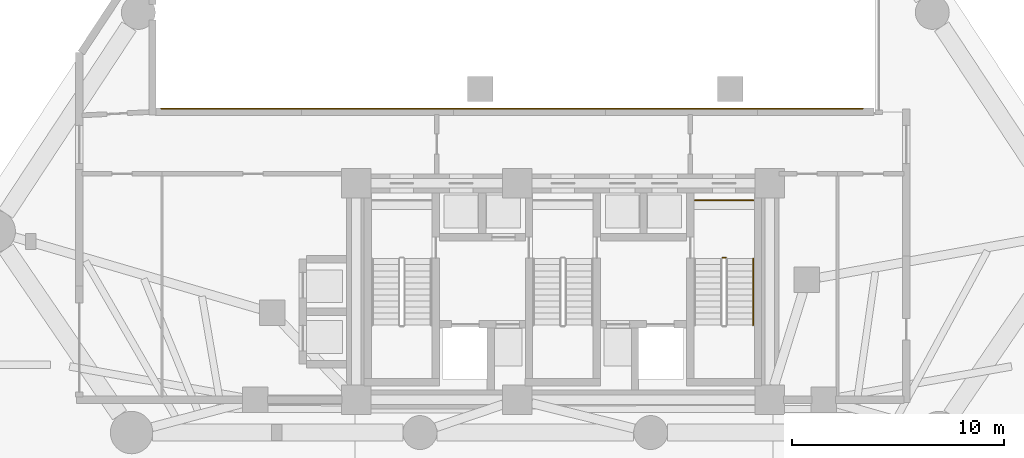
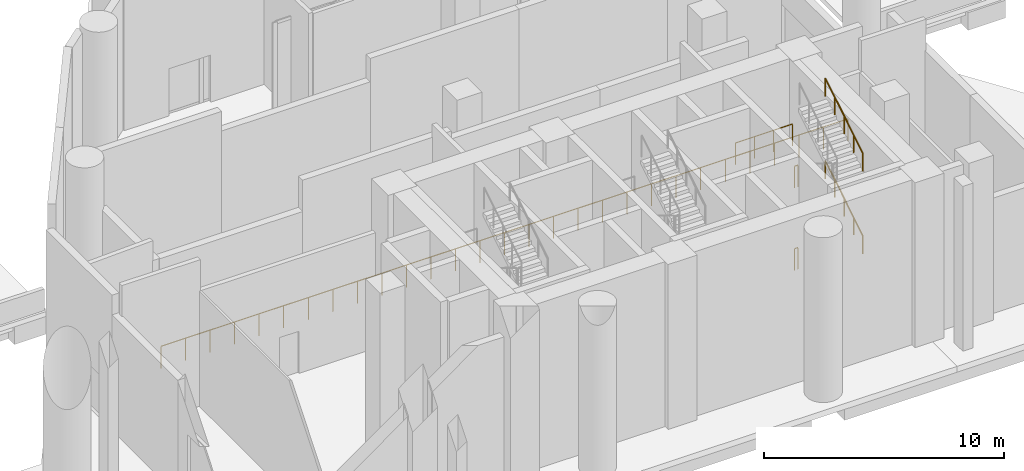
# One storey, part 10 of 12: 6 railings.
"""IFC4 building model written with IfcOpenShell, lengths in metres."""

from ifc_helpers import new_model, si_unit, direction, frame, origin, origin_2d, place, context, subcontext, project, spatial, circle, extrude, material, type_object, element, save


model = new_model("IFC4")

# Units and contexts
model_context = context("Model", 3, precision=1e-05, world=origin(), true_north=direction((0.0, 1.0)))
body_context = subcontext(model_context, "Body", "Model", "MODEL_VIEW")
ifc_project = project(units=[si_unit("LENGTHUNIT", "METRE"), si_unit("AREAUNIT", "SQUARE_METRE"), si_unit("VOLUMEUNIT", "CUBIC_METRE"), si_unit("PLANEANGLEUNIT", "RADIAN"), si_unit("MASSUNIT", "GRAM", prefix="KILO")], contexts=[model_context])

# Site, building, storey
site_placement = place(None, origin())
site = spatial("IfcSite", under=ifc_project, at=site_placement, CompositionType="ELEMENT")
building_placement = place(site_placement, origin())
building = spatial("IfcBuilding", under=site, at=building_placement, Name="Almagre Mirador Tower", CompositionType="ELEMENT")
storey_placement = place(building_placement, origin())
storey = spatial("IfcBuildingStorey", under=building, at=storey_placement, Name="L00", CompositionType="ELEMENT", Elevation=0.0)

# Railings
ifc_material_1 = material(Name="Painted galvanized steel", Category="steel")
railing_type_1 = type_object("IfcRailingType", Name="RLG-GRD-1100", PredefinedType="GUARDRAIL", material=ifc_material_1)
for number, where, name in (
    (1, (44.824951171875, 11.25, 4.199951171875), "L00 ST-3 stair guard 4"),
    (2, (44.824951171875, 11.25, 0.0), "L00 ST-3 stair guard 8"),
):
    element("IfcRailing", number, at=place(storey_placement, frame(where)), inside=storey, type_object=railing_type_1, Name=name, PredefinedType="GUARDRAIL", context=body_context, shape_type="SweptSolid", body=[
        extrude(circle(Radius=0.02392578125, at=origin_2d()), frame((0.0, 0.0, 1.09619140625), z_axis=(1.0, 0.0, 0.0), x_axis=(0.0, 1.0, 0.0)), (0.0, 0.0, 1.0), 0.150146484375),
        extrude(circle(Radius=0.02099609375, at=origin_2d()), origin(), (0.0, 0.0, 1.0), 1.072021484375),
        extrude(circle(Radius=0.02099609375, at=origin_2d()), frame((0.150146484375, 0.0, 0.0)), (0.0, 0.0, 1.0), 1.072021484375),
    ])
railing_1_placement = place(storey_placement, frame((43.52490234375, 13.949951171875, 4.199951171875)))
element("IfcRailing", 3, at=railing_1_placement, inside=storey, type_object=railing_type_1, Name="L00 ST-3 mid-landing slot guard 2", PredefinedType="GUARDRAIL", context=body_context, shape_type="SweptSolid", body=[
    extrude(circle(Radius=0.02392578125, at=origin_2d()), frame((0.0, 0.0, 1.09619140625), z_axis=(1.0, 0.0, 0.0), x_axis=(0.0, 1.0, 0.0)), (0.0, 0.0, 1.0), 2.75),
    extrude(circle(Radius=0.02099609375, at=origin_2d()), origin(), (0.0, 0.0, 1.0), 1.072021484375),
    extrude(circle(Radius=0.02099609375, at=origin_2d()), frame((0.916748046875, 0.0, 0.0)), (0.0, 0.0, 1.0), 1.072021484375),
    extrude(circle(Radius=0.02099609375, at=origin_2d()), frame((1.833251953125, 0.0, 0.0)), (0.0, 0.0, 1.0), 1.072021484375),
    extrude(circle(Radius=0.02099609375, at=origin_2d()), frame((2.75, 0.0, 0.0)), (0.0, 0.0, 1.0), 1.072021484375),
])
ifc_material_2 = material(Name="Painted galvanized steel", Category="steel")
railing_type_2 = type_object("IfcRailingType", Name="RLG-GRD-1150", PredefinedType="GUARDRAIL", material=ifc_material_2)
railing_2_placement = place(storey_placement, frame((18.35009765625, 18.280029296875, 0.0)))
element("IfcRailing", 4, at=railing_2_placement, inside=storey, type_object=railing_type_2, Name="L00 vehicular ramp south edge guardrail", PredefinedType="GUARDRAIL", context=body_context, shape_type="SweptSolid", body=[
    extrude(circle(Radius=0.02392578125, at=origin_2d()), frame((0.0, 0.0, 1.1259765625), z_axis=(1.0, 0.0, 0.0), x_axis=(0.0, 1.0, 0.0)), (0.0, 0.0, 1.0), 33.099853515625),
    extrude(circle(Radius=0.02099609375, at=origin_2d()), origin(), (0.0, 0.0, 1.0), 1.101806640625),
    extrude(circle(Radius=0.02099609375, at=origin_2d()), frame((1.18212890625, 0.0, 0.0)), (0.0, 0.0, 1.0), 1.101806640625),
    extrude(circle(Radius=0.02099609375, at=origin_2d()), frame((2.3642578125, 0.0, 0.0)), (0.0, 0.0, 1.0), 1.101806640625),
    extrude(circle(Radius=0.02099609375, at=origin_2d()), frame((3.54638671875, 0.0, 0.0)), (0.0, 0.0, 1.0), 1.101806640625),
    extrude(circle(Radius=0.02099609375, at=origin_2d()), frame((4.728515625, 0.0, 0.0)), (0.0, 0.0, 1.0), 1.101806640625),
    extrude(circle(Radius=0.02099609375, at=origin_2d()), frame((5.91064453125, 0.0, 0.0)), (0.0, 0.0, 1.0), 1.101806640625),
    extrude(circle(Radius=0.02099609375, at=origin_2d()), frame((7.0927734375, 0.0, 0.0)), (0.0, 0.0, 1.0), 1.101806640625),
    extrude(circle(Radius=0.02099609375, at=origin_2d()), frame((8.27490234375, 0.0, 0.0)), (0.0, 0.0, 1.0), 1.101806640625),
    extrude(circle(Radius=0.02099609375, at=origin_2d()), frame((9.45703125, 0.0, 0.0)), (0.0, 0.0, 1.0), 1.101806640625),
    extrude(circle(Radius=0.02099609375, at=origin_2d()), frame((10.63916015625, 0.0, 0.0)), (0.0, 0.0, 1.0), 1.101806640625),
    extrude(circle(Radius=0.02099609375, at=origin_2d()), frame((11.8212890625, 0.0, 0.0)), (0.0, 0.0, 1.0), 1.101806640625),
    extrude(circle(Radius=0.02099609375, at=origin_2d()), frame((13.00341796875, 0.0, 0.0)), (0.0, 0.0, 1.0), 1.101806640625),
    extrude(circle(Radius=0.02099609375, at=origin_2d()), frame((14.185546875, 0.0, 0.0)), (0.0, 0.0, 1.0), 1.101806640625),
    extrude(circle(Radius=0.02099609375, at=origin_2d()), frame((15.36767578125, 0.0, 0.0)), (0.0, 0.0, 1.0), 1.101806640625),
    extrude(circle(Radius=0.02099609375, at=origin_2d()), frame((16.5498046875, 0.0, 0.0)), (0.0, 0.0, 1.0), 1.101806640625),
    extrude(circle(Radius=0.02099609375, at=origin_2d()), frame((17.732177734375, 0.0, 0.0)), (0.0, 0.0, 1.0), 1.101806640625),
    extrude(circle(Radius=0.02099609375, at=origin_2d()), frame((18.914306640625, 0.0, 0.0)), (0.0, 0.0, 1.0), 1.101806640625),
    extrude(circle(Radius=0.02099609375, at=origin_2d()), frame((20.096435546875, 0.0, 0.0)), (0.0, 0.0, 1.0), 1.101806640625),
    extrude(circle(Radius=0.02099609375, at=origin_2d()), frame((21.278564453125, 0.0, 0.0)), (0.0, 0.0, 1.0), 1.101806640625),
    extrude(circle(Radius=0.02099609375, at=origin_2d()), frame((22.460693359375, 0.0, 0.0)), (0.0, 0.0, 1.0), 1.101806640625),
    extrude(circle(Radius=0.02099609375, at=origin_2d()), frame((23.642822265625, 0.0, 0.0)), (0.0, 0.0, 1.0), 1.101806640625),
    extrude(circle(Radius=0.02099609375, at=origin_2d()), frame((24.824951171875, 0.0, 0.0)), (0.0, 0.0, 1.0), 1.101806640625),
    extrude(circle(Radius=0.02099609375, at=origin_2d()), frame((26.007080078125, 0.0, 0.0)), (0.0, 0.0, 1.0), 1.101806640625),
    extrude(circle(Radius=0.02099609375, at=origin_2d()), frame((27.189208984375, 0.0, 0.0)), (0.0, 0.0, 1.0), 1.101806640625),
    extrude(circle(Radius=0.02099609375, at=origin_2d()), frame((28.371337890625, 0.0, 0.0)), (0.0, 0.0, 1.0), 1.101806640625),
    extrude(circle(Radius=0.02099609375, at=origin_2d()), frame((29.553466796875, 0.0, 0.0)), (0.0, 0.0, 1.0), 1.101806640625),
    extrude(circle(Radius=0.02099609375, at=origin_2d()), frame((30.735595703125, 0.0, 0.0)), (0.0, 0.0, 1.0), 1.101806640625),
    extrude(circle(Radius=0.02099609375, at=origin_2d()), frame((31.917724609375, 0.0, 0.0)), (0.0, 0.0, 1.0), 1.101806640625),
    extrude(circle(Radius=0.02099609375, at=origin_2d()), frame((33.099853515625, 0.0, 0.0)), (0.0, 0.0, 1.0), 1.101806640625),
])
ifc_material_3 = material(Name="Brushed stainless steel", Category="steel")
railing_type_3 = type_object("IfcRailingType", Name="RLG-HND-915", PredefinedType="HANDRAIL", material=ifc_material_3)
railing_3_placement = place(storey_placement, frame((46.27490234375, 8.06494140625, 2.27490234375)))
element("IfcRailing", 5, at=railing_3_placement, inside=storey, type_object=railing_type_3, Name="L00 ST-3 stair handrail 2", PredefinedType="HANDRAIL", context=body_context, shape_type="SweptSolid", body=[
    extrude(circle(Radius=0.02392578125, at=origin_2d()), frame((0.0, 0.0, 0.89111328125), z_axis=(0.0, 0.852166034122, 0.523271488128), x_axis=(-1.0, 0.0, 0.0)), (0.0, 0.0, 1.0), 3.678955078125),
    extrude(circle(Radius=0.02099609375, at=origin_2d()), origin(), (0.0, 0.0, 1.0), 0.866943359375),
    extrude(circle(Radius=0.02099609375, at=origin_2d()), frame((0.0, 0.78369140625, 0.481201171875)), (0.0, 0.0, 1.0), 0.866943359375),
    extrude(circle(Radius=0.02099609375, at=origin_2d()), frame((0.0, 1.5673828125, 0.96240234375)), (0.0, 0.0, 1.0), 0.866943359375),
    extrude(circle(Radius=0.02099609375, at=origin_2d()), frame((0.0, 2.351318359375, 1.44384765625)), (0.0, 0.0, 1.0), 0.866943359375),
    extrude(circle(Radius=0.02099609375, at=origin_2d()), frame((0.0, 3.135009765625, 1.925048828125)), (0.0, 0.0, 1.0), 0.866943359375),
])
railing_4_placement = place(storey_placement, frame((46.27490234375, 8.06494140625, 6.47509765625)))
element("IfcRailing", 6, at=railing_4_placement, inside=storey, type_object=railing_type_3, Name="L00 ST-3 stair handrail 4", PredefinedType="HANDRAIL", context=body_context, shape_type="SweptSolid", body=[
    extrude(circle(Radius=0.02392578125, at=origin_2d()), frame((0.0, 0.0, 0.89111328125), z_axis=(0.0, 0.852195625947, 0.523223293744), x_axis=(-1.0, 0.0, 0.0)), (0.0, 0.0, 1.0), 3.6787109375),
    extrude(circle(Radius=0.02099609375, at=origin_2d()), origin(), (0.0, 0.0, 1.0), 0.866943359375),
    extrude(circle(Radius=0.02099609375, at=origin_2d()), frame((0.0, 0.78369140625, 0.481201171875)), (0.0, 0.0, 1.0), 0.866943359375),
    extrude(circle(Radius=0.02099609375, at=origin_2d()), frame((0.0, 1.5673828125, 0.96240234375)), (0.0, 0.0, 1.0), 0.866943359375),
    extrude(circle(Radius=0.02099609375, at=origin_2d()), frame((0.0, 2.351318359375, 1.443603515625)), (0.0, 0.0, 1.0), 0.866943359375),
    extrude(circle(Radius=0.02099609375, at=origin_2d()), frame((0.0, 3.135009765625, 1.9248046875)), (0.0, 0.0, 1.0), 0.866943359375),
])

save(model, "model.ifc")
